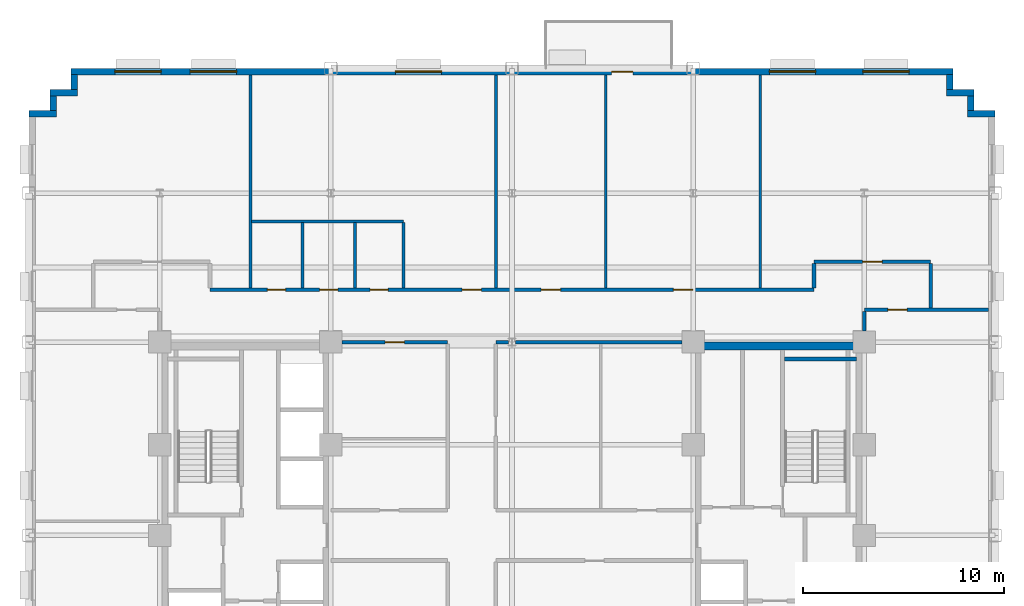
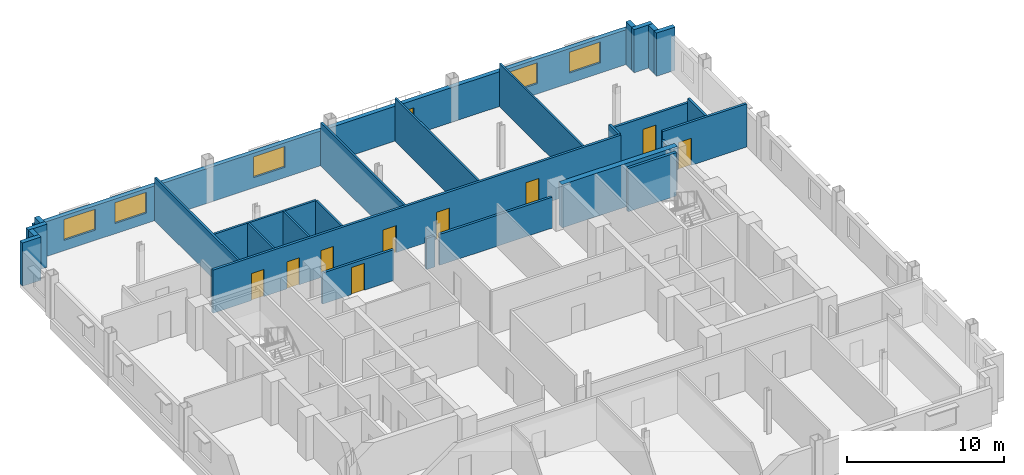
# One storey, part 9 of 14: 28 walls, 10 doors, 5 windows, 15 openings.
"""IFC4 building model written with IfcOpenShell, lengths in metres."""

from ifc_helpers import new_model, si_unit, direction, frame, frame_2d, origin, place, context, subcontext, project, spatial, rectangle, extrude, source, transform, mapped, material, layer, layer_set, type_object, type_shapes, element, fill, save


model = new_model("IFC4")

# Units and contexts
model_context = context("Model", 3, precision=1e-05, world=origin(), true_north=direction((0.0, 1.0)))
body_context = subcontext(model_context, "Body", "Model", "MODEL_VIEW")
ifc_project = project(units=[si_unit("LENGTHUNIT", "METRE"), si_unit("AREAUNIT", "SQUARE_METRE"), si_unit("VOLUMEUNIT", "CUBIC_METRE"), si_unit("PLANEANGLEUNIT", "RADIAN"), si_unit("MASSUNIT", "GRAM", prefix="KILO")], contexts=[model_context])

# Site, building, storey
site_placement = place(None, origin())
site = spatial("IfcSite", under=ifc_project, at=site_placement, CompositionType="ELEMENT")
building_placement = place(site_placement, origin())
building = spatial("IfcBuilding", under=site, at=building_placement, Name="Nuvemarco Arch Tower", CompositionType="ELEMENT")
storey_placement = place(building_placement, frame((0.0, 0.0, 101.949951171875)))
storey = spatial("IfcBuildingStorey", under=building, at=storey_placement, Name="L26", CompositionType="ELEMENT", Elevation=101.949951171875)

# Walls
ifc_material_1 = material(Name="Precast concrete C45/55", Category="concrete")
ifc_layer_1 = layer(ifc_material_1, 0.320068359375, Name="EW-MID-320")
ifc_layer_set_1 = layer_set([ifc_layer_1], Name="Precast concrete C45/55")
wall_type_1 = type_object("IfcWallType", Name="EW-MID-320", PredefinedType="STANDARD", material=ifc_layer_set_1)
wall_1_placement = place(storey_placement, frame((22.6298828125, 20.93994140625, 0.0), z_axis=(0.0, 0.0, 1.0), x_axis=(1.0, 0.0, 0.0)))
element("IfcWall", 1, at=wall_1_placement, inside=storey, type_object=wall_type_1, Name="L26 exterior precast facade wall 7", PredefinedType="STANDARD", context=body_context, shape_type="SweptSolid", body=[
    extrude(rectangle(XDim=1.3701171875, YDim=0.320068359375, at=frame_2d((0.68505859375, 0.0))), origin(), (0.0, 0.0, 1.0), 3.360107421875),
])
wall_2_placement = place(storey_placement, frame((22.7900390625, 21.095947265625, 0.0), z_axis=(0.0, 0.0, 1.0), x_axis=(0.0, 1.0, 0.0)))
element("IfcWall", 2, at=wall_2_placement, inside=storey, type_object=wall_type_1, Name="L26 exterior precast facade wall 8", PredefinedType="STANDARD", context=body_context, shape_type="SweptSolid", body=[
    extrude(rectangle(XDim=0.738037109375, YDim=0.320068359375, at=frame_2d((0.369140625, 0.0))), origin(), (0.0, 0.0, 1.0), 3.360107421875),
])
wall_3_placement = place(storey_placement, frame((21.580078125, 21.989990234375, 0.0), z_axis=(0.0, 0.0, 1.0), x_axis=(1.0, 0.0, 0.0)))
element("IfcWall", 3, at=wall_3_placement, inside=storey, type_object=wall_type_1, Name="L26 exterior precast facade wall 9", PredefinedType="STANDARD", context=body_context, shape_type="SweptSolid", body=[
    extrude(rectangle(XDim=1.369873046875, YDim=0.320068359375, at=frame_2d((0.68505859375, 0.0))), origin(), (0.0, 0.0, 1.0), 3.360107421875),
])
wall_4_placement = place(storey_placement, frame((21.739990234375, 22.14599609375, 0.0), z_axis=(0.0, 0.0, 1.0), x_axis=(0.0, 1.0, 0.0)))
element("IfcWall", 4, at=wall_4_placement, inside=storey, type_object=wall_type_1, Name="L26 exterior precast facade wall 10", PredefinedType="STANDARD", context=body_context, shape_type="SweptSolid", body=[
    extrude(rectangle(XDim=0.738037109375, YDim=0.320068359375, at=frame_2d((0.369140625, 0.0))), origin(), (0.0, 0.0, 1.0), 3.360107421875),
])

# Wall, openings, door, windows
wall_5_placement = place(storey_placement, frame((-21.89990234375, 23.0400390625, 0.0), z_axis=(0.0, 0.0, 1.0), x_axis=(1.0, 0.0, 0.0)))
wall_5 = element("IfcWall", 5, at=wall_5_placement, inside=storey, type_object=wall_type_1, Name="L26 exterior precast facade wall 11", PredefinedType="STANDARD", context=body_context, shape_type="SweptSolid", body=[
    extrude(rectangle(XDim=43.7998046875, YDim=0.320068359375, at=frame_2d((21.89990234375, 0.0))), origin(), (0.0, 0.0, 1.0), 2.705078125),
])
opening_1_placement = place(wall_5_placement, frame((26.85009765625, 0.0, 0.0)))
opening_1 = element("IfcOpeningElement", 6, at=opening_1_placement, cuts=wall_5, Name="Opening ED-5", PredefinedType="OPENING", context=body_context, shape_type="SweptSolid", body=[
    extrude(rectangle(XDim=1.050048828125, YDim=2.10009765625, at=frame_2d((0.52490234375, 1.050048828125))), frame((0.0, 0.169921875, 0.0), z_axis=(0.0, -1.0, 0.0), x_axis=(1.0, 0.0, 0.0)), (0.0, 0.0, 1.0), 0.340087890625),
])
opening_2_placement = place(wall_5_placement, frame((2.172119140625, 0.0, 0.800048828125)))
opening_2 = element("IfcOpeningElement", 7, at=opening_2_placement, cuts=wall_5, Name="Opening WN-10", PredefinedType="OPENING", context=body_context, shape_type="SweptSolid", body=[
    extrude(rectangle(XDim=2.300048828125, YDim=1.6201171875, at=frame_2d((1.14990234375, 0.81005859375))), frame((0.0, 0.169921875, 0.0), z_axis=(0.0, -1.0, 0.0), x_axis=(1.0, 0.0, 0.0)), (0.0, 0.0, 1.0), 0.340087890625),
])
opening_3_placement = place(wall_5_placement, frame((5.916748046875, 0.0, 0.800048828125)))
opening_3 = element("IfcOpeningElement", 8, at=opening_3_placement, cuts=wall_5, Name="Opening WN-10", PredefinedType="OPENING", context=body_context, shape_type="SweptSolid", body=[
    extrude(rectangle(XDim=2.300048828125, YDim=1.6201171875, at=frame_2d((1.14990234375, 0.81005859375))), frame((0.0, 0.169921875, 0.0), z_axis=(0.0, -1.0, 0.0), x_axis=(1.0, 0.0, 0.0)), (0.0, 0.0, 1.0), 0.340087890625),
])
opening_4_placement = place(wall_5_placement, frame((16.105712890625, 0.0, 0.800048828125)))
opening_4 = element("IfcOpeningElement", 9, at=opening_4_placement, cuts=wall_5, Name="Opening WN-10", PredefinedType="OPENING", context=body_context, shape_type="SweptSolid", body=[
    extrude(rectangle(XDim=2.300048828125, YDim=1.6201171875, at=frame_2d((1.14990234375, 0.81005859375))), frame((0.0, 0.169921875, 0.0), z_axis=(0.0, -1.0, 0.0), x_axis=(1.0, 0.0, 0.0)), (0.0, 0.0, 1.0), 0.340087890625),
])
opening_5_placement = place(wall_5_placement, frame((34.683349609375, 0.0, 0.800048828125)))
opening_5 = element("IfcOpeningElement", 10, at=opening_5_placement, cuts=wall_5, Name="Opening WN-10", PredefinedType="OPENING", context=body_context, shape_type="SweptSolid", body=[
    extrude(rectangle(XDim=2.300048828125, YDim=1.6201171875, at=frame_2d((1.14990234375, 0.81005859375))), frame((0.0, 0.169921875, 0.0), z_axis=(0.0, -1.0, 0.0), x_axis=(1.0, 0.0, 0.0)), (0.0, 0.0, 1.0), 0.340087890625),
])
opening_6_placement = place(wall_5_placement, frame((39.327880859375, 0.0, 0.800048828125)))
opening_6 = element("IfcOpeningElement", 11, at=opening_6_placement, cuts=wall_5, Name="Opening WN-10", PredefinedType="OPENING", context=body_context, shape_type="SweptSolid", body=[
    extrude(rectangle(XDim=2.300048828125, YDim=1.6201171875, at=frame_2d((1.14990234375, 0.81005859375))), frame((0.0, 0.169921875, 0.0), z_axis=(0.0, -1.0, 0.0), x_axis=(1.0, 0.0, 0.0)), (0.0, 0.0, 1.0), 0.340087890625),
])
ifc_material_2 = material(Name="Anodised bronze and laminated glass", Category="glass")
door_type_1 = type_object("IfcDoorType", Name="DR-EXT-TERR", OperationType="NOTDEFINED", PredefinedType="DOOR", material=ifc_material_2)
shared_shape_1 = source(origin(), body_context, "Body", "SweptSolid", [
    extrude(rectangle(XDim=1.050048828125, YDim=2.10009765625, at=frame_2d((0.52490234375, 1.050048828125))), frame((0.0, 0.02490234375, 0.0), z_axis=(0.0, -1.0, 0.0), x_axis=(1.0, 0.0, 0.0)), (0.0, 0.0, 1.0), 0.050048828125),
])
type_shapes(door_type_1, [shared_shape_1])
door_1_placement = place(opening_1_placement, origin())
door_1 = element("IfcDoor", 12, at=door_1_placement, inside=storey, type_object=door_type_1, Name="L26 spiral terrace access door", OperationType="SINGLE_SWING_LEFT", OverallHeight=2.10009765625, OverallWidth=1.050048828125, PredefinedType="DOOR", context=body_context, shape_type="MappedRepresentation", body=[
    mapped(shared_shape_1, transform((0.0, 0.0, 0.0), scale=1.0)),
])
fill(opening_1, door_1)
ifc_material_3 = material(Name="Insulated solar-control glass", Category="glass")
window_type = type_object("IfcWindowType", Name="WN-STEP-2300x1700", PartitioningType="DOUBLE_PANEL_VERTICAL", PredefinedType="WINDOW", material=ifc_material_3)
shared_shape_2 = source(origin(), body_context, "Body", "SweptSolid", [
    extrude(rectangle(XDim=2.300048828125, YDim=1.6201171875, at=frame_2d((1.14990234375, 0.81005859375))), frame((0.0, 0.030029296875, 0.0), z_axis=(0.0, -1.0, 0.0), x_axis=(1.0, 0.0, 0.0)), (0.0, 0.0, 1.0), 0.06005859375),
])
type_shapes(window_type, [shared_shape_2])
window_1_placement = place(opening_2_placement, origin())
window_1 = element("IfcWindow", 13, at=window_1_placement, inside=storey, type_object=window_type, Name="L26 punched facade window 1", OverallHeight=1.6201171875, OverallWidth=2.300048828125, PartitioningType="SINGLE_PANEL", PredefinedType="WINDOW", context=body_context, shape_type="MappedRepresentation", body=[
    mapped(shared_shape_2, transform((0.0, 0.0, 0.0), scale=1.0)),
])
fill(opening_2, window_1)
window_2_placement = place(opening_3_placement, origin())
window_2 = element("IfcWindow", 14, at=window_2_placement, inside=storey, type_object=window_type, Name="L26 punched facade window 2", OverallHeight=1.6201171875, OverallWidth=2.300048828125, PartitioningType="SINGLE_PANEL", PredefinedType="WINDOW", context=body_context, shape_type="MappedRepresentation", body=[
    mapped(shared_shape_2, transform((0.0, 0.0, 0.0), scale=1.0)),
])
fill(opening_3, window_2)
window_3_placement = place(opening_4_placement, origin())
window_3 = element("IfcWindow", 15, at=window_3_placement, inside=storey, type_object=window_type, Name="L26 punched facade window 4", OverallHeight=1.6201171875, OverallWidth=2.300048828125, PartitioningType="SINGLE_PANEL", PredefinedType="WINDOW", context=body_context, shape_type="MappedRepresentation", body=[
    mapped(shared_shape_2, transform((0.0, 0.0, 0.0), scale=1.0)),
])
fill(opening_4, window_3)
window_4_placement = place(opening_5_placement, origin())
window_4 = element("IfcWindow", 16, at=window_4_placement, inside=storey, type_object=window_type, Name="L26 punched facade window 8", OverallHeight=1.6201171875, OverallWidth=2.300048828125, PartitioningType="SINGLE_PANEL", PredefinedType="WINDOW", context=body_context, shape_type="MappedRepresentation", body=[
    mapped(shared_shape_2, transform((0.0, 0.0, 0.0), scale=1.0)),
])
fill(opening_5, window_4)
window_5_placement = place(opening_6_placement, origin())
window_5 = element("IfcWindow", 17, at=window_5_placement, inside=storey, type_object=window_type, Name="L26 punched facade window 9", OverallHeight=1.6201171875, OverallWidth=2.300048828125, PartitioningType="SINGLE_PANEL", PredefinedType="WINDOW", context=body_context, shape_type="MappedRepresentation", body=[
    mapped(shared_shape_2, transform((0.0, 0.0, 0.0), scale=1.0)),
])
fill(opening_6, window_5)

# Walls
wall_6_placement = place(storey_placement, frame((-21.739990234375, 22.14599609375, 0.0), z_axis=(0.0, 0.0, 1.0), x_axis=(0.0, 1.0, 0.0)))
element("IfcWall", 18, at=wall_6_placement, inside=storey, type_object=wall_type_1, Name="L26 exterior precast facade wall 12", PredefinedType="STANDARD", context=body_context, shape_type="SweptSolid", body=[
    extrude(rectangle(XDim=0.738037109375, YDim=0.320068359375, at=frame_2d((0.369140625, 0.0))), origin(), (0.0, 0.0, 1.0), 3.360107421875),
])
wall_7_placement = place(storey_placement, frame((-22.949951171875, 21.989990234375, 0.0), z_axis=(0.0, 0.0, 1.0), x_axis=(1.0, 0.0, 0.0)))
element("IfcWall", 19, at=wall_7_placement, inside=storey, type_object=wall_type_1, Name="L26 exterior precast facade wall 13", PredefinedType="STANDARD", context=body_context, shape_type="SweptSolid", body=[
    extrude(rectangle(XDim=1.369873046875, YDim=0.320068359375, at=frame_2d((0.68505859375, 0.0))), origin(), (0.0, 0.0, 1.0), 3.360107421875),
])
wall_8_placement = place(storey_placement, frame((-22.7900390625, 21.095947265625, 0.0), z_axis=(0.0, 0.0, 1.0), x_axis=(0.0, 1.0, 0.0)))
element("IfcWall", 20, at=wall_8_placement, inside=storey, type_object=wall_type_1, Name="L26 exterior precast facade wall 14", PredefinedType="STANDARD", context=body_context, shape_type="SweptSolid", body=[
    extrude(rectangle(XDim=0.738037109375, YDim=0.320068359375, at=frame_2d((0.369140625, 0.0))), origin(), (0.0, 0.0, 1.0), 3.360107421875),
])
wall_9_placement = place(storey_placement, frame((-24.0, 20.93994140625, 0.0), z_axis=(0.0, 0.0, 1.0), x_axis=(1.0, 0.0, 0.0)))
element("IfcWall", 21, at=wall_9_placement, inside=storey, type_object=wall_type_1, Name="L26 exterior precast facade wall 15", PredefinedType="STANDARD", context=body_context, shape_type="SweptSolid", body=[
    extrude(rectangle(XDim=1.3701171875, YDim=0.320068359375, at=frame_2d((0.68505859375, 0.0))), origin(), (0.0, 0.0, 1.0), 3.360107421875),
])
ifc_material_4 = material(Name="Concrete C60/75", Category="concrete")
ifc_layer_2 = layer(ifc_material_4, 0.39990234375, Name="WL-CORE-400")
ifc_layer_set_2 = layer_set([ifc_layer_2], Name="Concrete C60/75")
wall_type_2 = type_object("IfcWallType", Name="WL-CORE-400", PredefinedType="SHEAR", material=ifc_layer_set_2)
wall_10_placement = place(storey_placement, frame((9.0, 9.39990234375, 0.0), z_axis=(0.0, 0.0, 1.0), x_axis=(1.0, 0.0, 0.0)))
element("IfcWall", 22, at=wall_10_placement, inside=storey, type_object=wall_type_2, Name="L26 E-core shear wall N", PredefinedType="SHEAR", context=body_context, shape_type="SweptSolid", body=[
    extrude(rectangle(XDim=8.5, YDim=0.39990234375, at=frame_2d((4.25, 0.0))), origin(), (0.0, 0.0, 1.0), 3.3701171875),
])

# Wall, opening, door
ifc_material_5 = material(Name="Fire-rated gypsum drywall partition")
ifc_layer_3 = layer(ifc_material_5, 0.179931640625, Name="WL-CORR-180")
ifc_layer_set_3 = layer_set([ifc_layer_3], Name="Fire-rated gypsum drywall partition")
wall_type_3 = type_object("IfcWallType", Name="WL-CORR-180", PredefinedType="PARTITIONING", material=ifc_layer_set_3)
wall_11_placement = place(storey_placement, frame((-8.4541015625, 9.60009765625, 0.0), z_axis=(0.0, 0.0, 1.0), x_axis=(1.0, 0.0, 0.0)))
wall_11 = element("IfcWall", 23, at=wall_11_placement, inside=storey, type_object=wall_type_3, Name="L26 interior wall IW-L26-015", PredefinedType="PARTITIONING", context=body_context, shape_type="SweptSolid", body=[
    extrude(rectangle(XDim=5.254150390625, YDim=0.179931640625, at=frame_2d((2.626953125, 0.0))), origin(), (0.0, 0.0, 1.0), 2.405029296875),
])
opening_7_placement = place(wall_11_placement, frame((2.14697265625, 0.0, 0.0)))
opening_7 = element("IfcOpeningElement", 24, at=opening_7_placement, cuts=wall_11, Name="Opening FD-5", PredefinedType="OPENING", context=body_context, shape_type="SweptSolid", body=[
    extrude(rectangle(XDim=0.9599609375, YDim=2.10009765625, at=frame_2d((0.47998046875, 1.050048828125))), frame((0.0, 0.099853515625, 0.0), z_axis=(0.0, -1.0, 0.0), x_axis=(1.0, 0.0, 0.0)), (0.0, 0.0, 1.0), 0.199951171875),
])
ifc_material_6 = material(Name="Timber fire door", Category="wood")
door_type_2 = type_object("IfcDoorType", Name="DR-CORR-FD", OperationType="NOTDEFINED", PredefinedType="DOOR", material=ifc_material_6)
shared_shape_3 = source(origin(), body_context, "Body", "SweptSolid", [
    extrude(rectangle(XDim=0.9599609375, YDim=2.10009765625, at=frame_2d((0.47998046875, 1.050048828125))), frame((0.0, 0.02490234375, 0.0), z_axis=(0.0, -1.0, 0.0), x_axis=(1.0, 0.0, 0.0)), (0.0, 0.0, 1.0), 0.050048828125),
])
type_shapes(door_type_2, [shared_shape_3])
door_2_placement = place(opening_7_placement, origin())
door_2 = element("IfcDoor", 25, at=door_2_placement, inside=storey, type_object=door_type_2, Name="L26 door DR-L26-C_NW2", OperationType="SINGLE_SWING_RIGHT", OverallHeight=2.10009765625, OverallWidth=0.9599609375, PredefinedType="DOOR", context=body_context, shape_type="MappedRepresentation", body=[
    mapped(shared_shape_3, transform((0.0, 0.0, 0.0), scale=1.0)),
])
fill(opening_7, door_2)

# Walls
wall_12_placement = place(storey_placement, frame((-0.800048828125, 9.60009765625, 0.0), z_axis=(0.0, 0.0, 1.0), x_axis=(1.0, 0.0, 0.0)))
element("IfcWall", 26, at=wall_12_placement, inside=storey, type_object=wall_type_3, Name="L26 interior wall IW-L26-016", PredefinedType="PARTITIONING", context=body_context, shape_type="SweptSolid", body=[
    extrude(rectangle(XDim=0.6240234375, YDim=0.179931640625, at=frame_2d((0.31201171875, 0.0))), origin(), (0.0, 0.0, 1.0), 2.405029296875),
])
wall_13_placement = place(storey_placement, frame((0.176025390625, 9.60009765625, 0.0), z_axis=(0.0, 0.0, 1.0), x_axis=(1.0, 0.0, 0.0)))
element("IfcWall", 27, at=wall_13_placement, inside=storey, type_object=wall_type_3, Name="L26 interior wall IW-L26-017", PredefinedType="PARTITIONING", context=body_context, shape_type="SweptSolid", body=[
    extrude(rectangle(XDim=8.278076171875, YDim=0.179931640625, at=frame_2d((4.13916015625, 0.0))), origin(), (0.0, 0.0, 1.0), 2.405029296875),
])

# Wall, opening, door
wall_14_placement = place(storey_placement, frame((17.5, 11.199951171875, 0.0), z_axis=(0.0, 0.0, 1.0), x_axis=(1.0, 0.0, 0.0)))
wall_14 = element("IfcWall", 28, at=wall_14_placement, inside=storey, type_object=wall_type_3, Name="L26 interior wall IW-L26-019", PredefinedType="PARTITIONING", context=body_context, shape_type="SweptSolid", body=[
    extrude(rectangle(XDim=6.179931640625, YDim=0.179931640625, at=frame_2d((3.08984375, 0.0))), origin(), (0.0, 0.0, 1.0), 3.360107421875),
])
opening_8_placement = place(wall_14_placement, frame((1.169921875, 0.0, 0.0)))
opening_8 = element("IfcOpeningElement", 29, at=opening_8_placement, cuts=wall_14, Name="Opening FD-5", PredefinedType="OPENING", context=body_context, shape_type="SweptSolid", body=[
    extrude(rectangle(XDim=0.9599609375, YDim=2.10009765625, at=frame_2d((0.47998046875, 1.050048828125))), frame((0.0, 0.099853515625, 0.0), z_axis=(0.0, -1.0, 0.0), x_axis=(1.0, 0.0, 0.0)), (0.0, 0.0, 1.0), 0.199951171875),
])
door_3_placement = place(opening_8_placement, origin())
door_3 = element("IfcDoor", 30, at=door_3_placement, inside=storey, type_object=door_type_2, Name="L26 door DR-L26-E_1", OperationType="SINGLE_SWING_LEFT", OverallHeight=2.10009765625, OverallWidth=0.9599609375, PredefinedType="DOOR", context=body_context, shape_type="MappedRepresentation", body=[
    mapped(shared_shape_3, transform((0.0, 0.0, 0.0), scale=1.0)),
])
fill(opening_8, door_3)

# Wall, openings, doors
wall_15_placement = place(storey_placement, frame((-15.0, 12.199951171875, 0.0), z_axis=(0.0, 0.0, 1.0), x_axis=(1.0, 0.0, 0.0)))
wall_15 = element("IfcWall", 31, at=wall_15_placement, inside=storey, type_object=wall_type_3, Name="L26 interior wall IW-L26-020", PredefinedType="PARTITIONING", context=body_context, shape_type="SweptSolid", body=[
    extrude(rectangle(XDim=30.0, YDim=0.179931640625, at=frame_2d((15.0, 0.0))), origin(), (0.0, 0.0, 1.0), 3.360107421875),
])
opening_9_placement = place(wall_15_placement, frame((23.02001953125, 0.0, 0.0)))
opening_9 = element("IfcOpeningElement", 32, at=opening_9_placement, cuts=wall_15, Name="Opening FD-5", PredefinedType="OPENING", context=body_context, shape_type="SweptSolid", body=[
    extrude(rectangle(XDim=0.9599609375, YDim=2.10009765625, at=frame_2d((0.47998046875, 1.050048828125))), frame((0.0, 0.099853515625, 0.0), z_axis=(0.0, -1.0, 0.0), x_axis=(1.0, 0.0, 0.0)), (0.0, 0.0, 1.0), 0.199951171875),
])
opening_10_placement = place(wall_15_placement, frame((16.449951171875, 0.0, 0.0)))
opening_10 = element("IfcOpeningElement", 33, at=opening_10_placement, cuts=wall_15, Name="Opening FD-5", PredefinedType="OPENING", context=body_context, shape_type="SweptSolid", body=[
    extrude(rectangle(XDim=0.9599609375, YDim=2.10009765625, at=frame_2d((0.47998046875, 1.050048828125))), frame((0.0, 0.099853515625, 0.0), z_axis=(0.0, -1.0, 0.0), x_axis=(1.0, 0.0, 0.0)), (0.0, 0.0, 1.0), 0.199951171875),
])
opening_11_placement = place(wall_15_placement, frame((5.449951171875, 0.0, 0.0)))
opening_11 = element("IfcOpeningElement", 34, at=opening_11_placement, cuts=wall_15, Name="Opening ID-3", PredefinedType="OPENING", context=body_context, shape_type="SweptSolid", body=[
    extrude(rectangle(XDim=0.89990234375, YDim=2.10009765625, at=frame_2d((0.449951171875, 1.050048828125))), frame((0.0, 0.099853515625, 0.0), z_axis=(0.0, -1.0, 0.0), x_axis=(1.0, 0.0, 0.0)), (0.0, 0.0, 1.0), 0.199951171875),
])
opening_12_placement = place(wall_15_placement, frame((2.85009765625, 0.0, 0.0)))
opening_12 = element("IfcOpeningElement", 35, at=opening_12_placement, cuts=wall_15, Name="Opening ID-3", PredefinedType="OPENING", context=body_context, shape_type="SweptSolid", body=[
    extrude(rectangle(XDim=0.89990234375, YDim=2.10009765625, at=frame_2d((0.449951171875, 1.050048828125))), frame((0.0, 0.099853515625, 0.0), z_axis=(0.0, -1.0, 0.0), x_axis=(1.0, 0.0, 0.0)), (0.0, 0.0, 1.0), 0.199951171875),
])
opening_13_placement = place(wall_15_placement, frame((12.52001953125, 0.0, 0.0)))
opening_13 = element("IfcOpeningElement", 36, at=opening_13_placement, cuts=wall_15, Name="Opening FD-5", PredefinedType="OPENING", context=body_context, shape_type="SweptSolid", body=[
    extrude(rectangle(XDim=0.9599609375, YDim=2.10009765625, at=frame_2d((0.47998046875, 1.050048828125))), frame((0.0, 0.099853515625, 0.0), z_axis=(0.0, -1.0, 0.0), x_axis=(1.0, 0.0, 0.0)), (0.0, 0.0, 1.0), 0.199951171875),
])
opening_14_placement = place(wall_15_placement, frame((7.949951171875, 0.0, 0.0)))
opening_14 = element("IfcOpeningElement", 37, at=opening_14_placement, cuts=wall_15, Name="Opening ID-3", PredefinedType="OPENING", context=body_context, shape_type="SweptSolid", body=[
    extrude(rectangle(XDim=0.89990234375, YDim=2.10009765625, at=frame_2d((0.449951171875, 1.050048828125))), frame((0.0, 0.099853515625, 0.0), z_axis=(0.0, -1.0, 0.0), x_axis=(1.0, 0.0, 0.0)), (0.0, 0.0, 1.0), 0.199951171875),
])
door_4_placement = place(opening_9_placement, origin())
door_4 = element("IfcDoor", 38, at=door_4_placement, inside=storey, type_object=door_type_2, Name="L26 door DR-L26-N_4", OperationType="SINGLE_SWING_LEFT", OverallHeight=2.10009765625, OverallWidth=0.9599609375, PredefinedType="DOOR", context=body_context, shape_type="MappedRepresentation", body=[
    mapped(shared_shape_3, transform((0.0, 0.0, 0.0), scale=1.0)),
])
fill(opening_9, door_4)
door_5_placement = place(opening_10_placement, origin())
door_5 = element("IfcDoor", 39, at=door_5_placement, inside=storey, type_object=door_type_2, Name="L26 door DR-L26-N_3", OperationType="SINGLE_SWING_LEFT", OverallHeight=2.10009765625, OverallWidth=0.9599609375, PredefinedType="DOOR", context=body_context, shape_type="MappedRepresentation", body=[
    mapped(shared_shape_3, transform((0.0, 0.0, 0.0), scale=1.0)),
])
fill(opening_10, door_5)
door_6_placement = place(opening_13_placement, origin())
door_6 = element("IfcDoor", 40, at=door_6_placement, inside=storey, type_object=door_type_2, Name="L26 door DR-L26-N_2", OperationType="SINGLE_SWING_RIGHT", OverallHeight=2.10009765625, OverallWidth=0.9599609375, PredefinedType="DOOR", context=body_context, shape_type="MappedRepresentation", body=[
    mapped(shared_shape_3, transform((0.0, 0.0, 0.0), scale=1.0)),
])
fill(opening_13, door_6)
ifc_material_7 = material(Name="Veneered oak timber fire door", Category="wood")
door_type_3 = type_object("IfcDoorType", Name="DR-WC-ACC", OperationType="NOTDEFINED", PredefinedType="DOOR", material=ifc_material_7)
shared_shape_4 = source(origin(), body_context, "Body", "SweptSolid", [
    extrude(rectangle(XDim=0.89990234375, YDim=2.10009765625, at=frame_2d((0.449951171875, 1.050048828125))), frame((0.0, 0.02490234375, 0.0), z_axis=(0.0, -1.0, 0.0), x_axis=(1.0, 0.0, 0.0)), (0.0, 0.0, 1.0), 0.050048828125),
])
type_shapes(door_type_3, [shared_shape_4])
door_7_placement = place(opening_11_placement, origin())
door_7 = element("IfcDoor", 41, at=door_7_placement, inside=storey, type_object=door_type_3, Name="L26 door DR-L26-WC_F", OperationType="SINGLE_SWING_RIGHT", OverallHeight=2.10009765625, OverallWidth=0.89990234375, PredefinedType="DOOR", context=body_context, shape_type="MappedRepresentation", body=[
    mapped(shared_shape_4, transform((0.0, 0.0, 0.0), scale=1.0)),
])
fill(opening_11, door_7)
door_8_placement = place(opening_12_placement, origin())
door_8 = element("IfcDoor", 42, at=door_8_placement, inside=storey, type_object=door_type_3, Name="L26 door DR-L26-WC_M", OperationType="SINGLE_SWING_LEFT", OverallHeight=2.10009765625, OverallWidth=0.89990234375, PredefinedType="DOOR", context=body_context, shape_type="MappedRepresentation", body=[
    mapped(shared_shape_4, transform((0.0, 0.0, 0.0), scale=1.0)),
])
fill(opening_12, door_8)
door_9_placement = place(opening_14_placement, origin())
door_9 = element("IfcDoor", 43, at=door_9_placement, inside=storey, type_object=door_type_3, Name="L26 door DR-L26-WC_ACC", OperationType="SINGLE_SWING_LEFT", OverallHeight=2.10009765625, OverallWidth=0.89990234375, PredefinedType="DOOR", context=body_context, shape_type="MappedRepresentation", body=[
    mapped(shared_shape_4, transform((0.0, 0.0, 0.0), scale=1.0)),
])
fill(opening_14, door_9)

# Wall, opening, door
wall_16_placement = place(storey_placement, frame((15.0, 13.60009765625, 0.0), z_axis=(0.0, 0.0, 1.0), x_axis=(1.0, 0.0, 0.0)))
wall_16 = element("IfcWall", 44, at=wall_16_placement, inside=storey, type_object=wall_type_3, Name="L26 interior wall IW-L26-022", PredefinedType="PARTITIONING", context=body_context, shape_type="SweptSolid", body=[
    extrude(rectangle(XDim=5.800048828125, YDim=0.179931640625, at=frame_2d((2.89990234375, 0.0))), origin(), (0.0, 0.0, 1.0), 2.998046875),
])
opening_15_placement = place(wall_16_placement, frame((2.419921875, 0.0, 0.0)))
opening_15 = element("IfcOpeningElement", 45, at=opening_15_placement, cuts=wall_16, Name="Opening FD-5", PredefinedType="OPENING", context=body_context, shape_type="SweptSolid", body=[
    extrude(rectangle(XDim=0.9599609375, YDim=2.10009765625, at=frame_2d((0.47998046875, 1.050048828125))), frame((0.0, 0.099853515625, 0.0), z_axis=(0.0, -1.0, 0.0), x_axis=(1.0, 0.0, 0.0)), (0.0, 0.0, 1.0), 0.199951171875),
])
door_10_placement = place(opening_15_placement, origin())
door_10 = element("IfcDoor", 46, at=door_10_placement, inside=storey, type_object=door_type_2, Name="L26 door DR-L26-N_5", OperationType="SINGLE_SWING_LEFT", OverallHeight=2.10009765625, OverallWidth=0.9599609375, PredefinedType="DOOR", context=body_context, shape_type="MappedRepresentation", body=[
    mapped(shared_shape_3, transform((0.0, 0.0, 0.0), scale=1.0)),
])
fill(opening_15, door_10)

# Walls
wall_17_placement = place(storey_placement, frame((15.0, 12.285888671875, 0.0), z_axis=(0.0, 0.0, 1.0), x_axis=(0.0, 1.0, 0.0)))
element("IfcWall", 47, at=wall_17_placement, inside=storey, type_object=wall_type_3, Name="L26 interior wall IW-L26-049", PredefinedType="PARTITIONING", context=body_context, shape_type="SweptSolid", body=[
    extrude(rectangle(XDim=1.22802734375, YDim=0.179931640625, at=frame_2d((0.614013671875, 0.0))), origin(), (0.0, 0.0, 1.0), 3.360107421875),
])
wall_18_placement = place(storey_placement, frame((17.5, 10.14599609375, 0.0), z_axis=(0.0, 0.0, 1.0), x_axis=(0.0, 1.0, 0.0)))
element("IfcWall", 48, at=wall_18_placement, inside=storey, type_object=wall_type_3, Name="L26 interior wall IW-L26-051", PredefinedType="PARTITIONING", context=body_context, shape_type="SweptSolid", body=[
    extrude(rectangle(XDim=0.968017578125, YDim=0.179931640625, at=frame_2d((0.48388671875, 0.0))), origin(), (0.0, 0.0, 1.0), 2.738037109375),
])
wall_19_placement = place(storey_placement, frame((20.800048828125, 11.285888671875, 0.0), z_axis=(0.0, 0.0, 1.0), x_axis=(0.0, 1.0, 0.0)))
element("IfcWall", 49, at=wall_19_placement, inside=storey, type_object=wall_type_3, Name="L26 interior wall IW-L26-054", PredefinedType="PARTITIONING", context=body_context, shape_type="SweptSolid", body=[
    extrude(rectangle(XDim=2.22802734375, YDim=0.179931640625, at=frame_2d((1.114013671875, 0.0))), origin(), (0.0, 0.0, 1.0), 3.360107421875),
])
ifc_material_8 = material(Name="Glazed acoustic office partition")
ifc_layer_4 = layer(ifc_material_8, 0.1298828125, Name="WL-EXEC-130")
ifc_layer_set_4 = layer_set([ifc_layer_4], Name="Glazed acoustic office partition")
wall_type_4 = type_object("IfcWallType", Name="WL-EXEC-130", PredefinedType="PARTITIONING", material=ifc_layer_set_4)
wall_20_placement = place(storey_placement, frame((12.340087890625, 12.285888671875, 0.0), z_axis=(0.0, 0.0, 1.0), x_axis=(0.0, 1.0, 0.0)))
element("IfcWall", 50, at=wall_20_placement, inside=storey, type_object=wall_type_4, Name="L26 interior wall IW-L26-047", PredefinedType="PARTITIONING", context=body_context, shape_type="SweptSolid", body=[
    extrude(rectangle(XDim=10.593994140625, YDim=0.1298828125, at=frame_2d((5.296875, 0.0))), origin(), (0.0, 0.0, 1.0), 3.360107421875),
])
ifc_material_9 = material(Name="Gypsum plasterboard partition")
ifc_layer_5 = layer(ifc_material_9, 0.139892578125, Name="WL-ROOM-140")
ifc_layer_set_5 = layer_set([ifc_layer_5], Name="Gypsum plasterboard partition")
wall_type_5 = type_object("IfcWallType", Name="WL-ROOM-140", PredefinedType="PARTITIONING", material=ifc_layer_set_5)
for number, where, z_axis, x_axis, name in (
    (51, (-0.800048828125, 12.285888671875, 0.0), (0.0, 0.0, 1.0), (0.0, 1.0, 0.0), "L26 interior wall IW-L26-042"),
    (52, (4.659912109375, 12.285888671875, 0.0), (0.0, 0.0, 1.0), (0.0, 1.0, 0.0), "L26 interior wall IW-L26-044"),
):
    element("IfcWall", number, at=place(storey_placement, frame(where, z_axis=z_axis, x_axis=x_axis)), inside=storey, type_object=wall_type_5, Name=name, PredefinedType="PARTITIONING", context=body_context, shape_type="SweptSolid", body=[
        extrude(rectangle(XDim=10.593994140625, YDim=0.139892578125, at=frame_2d((5.296875, 0.0))), origin(), (0.0, 0.0, 1.0), 3.360107421875),
    ])
ifc_material_10 = material(Name="Concrete C50/60", Category="concrete")
ifc_layer_6 = layer(ifc_material_10, 0.199951171875, Name="WL-SHAFT-220")
ifc_layer_set_6 = layer_set([ifc_layer_6], Name="Concrete C50/60")
wall_type_6 = type_object("IfcWallType", Name="WL-SHAFT-220", PredefinedType="SHEAR", material=ifc_layer_set_6)
wall_21_placement = place(storey_placement, frame((13.534912109375, 8.75, 0.0), z_axis=(0.0, 0.0, 1.0), x_axis=(1.0, 0.0, 0.0)))
element("IfcWall", 53, at=wall_21_placement, inside=storey, type_object=wall_type_6, Name="L26 structural shaft wall SW-L26-E-ST2N", PredefinedType="SHEAR", context=body_context, shape_type="SweptSolid", body=[
    extrude(rectangle(XDim=3.570068359375, YDim=0.199951171875, at=frame_2d((1.78515625, 0.0))), origin(), (0.0, 0.0, 1.0), 3.3701171875),
])
ifc_material_11 = material(Name="Moisture-resistant gypsum partition")
ifc_layer_7 = layer(ifc_material_11, 0.14990234375, Name="WL-WET-150")
ifc_layer_set_7 = layer_set([ifc_layer_7], Name="Moisture-resistant gypsum partition")
wall_type_7 = type_object("IfcWallType", Name="WL-WET-150", PredefinedType="PARTITIONING", material=ifc_layer_set_7)
wall_22_placement = place(storey_placement, frame((-12.928955078125, 15.60009765625, 0.0), z_axis=(0.0, 0.0, 1.0), x_axis=(1.0, 0.0, 0.0)))
element("IfcWall", 54, at=wall_22_placement, inside=storey, type_object=wall_type_7, Name="L26 interior wall IW-L26-023", PredefinedType="PARTITIONING", context=body_context, shape_type="SweptSolid", body=[
    extrude(rectangle(XDim=7.529052734375, YDim=0.14990234375, at=frame_2d((3.7646484375, 0.0))), origin(), (0.0, 0.0, 1.0), 3.360107421875),
])
wall_23_placement = place(storey_placement, frame((-13.0, 12.285888671875, 0.0), z_axis=(0.0, 0.0, 1.0), x_axis=(0.0, 1.0, 0.0)))
element("IfcWall", 55, at=wall_23_placement, inside=storey, type_object=wall_type_7, Name="L26 interior wall IW-L26-032", PredefinedType="PARTITIONING", context=body_context, shape_type="SweptSolid", body=[
    extrude(rectangle(XDim=10.593994140625, YDim=0.14990234375, at=frame_2d((5.296875, 0.0))), origin(), (0.0, 0.0, 1.0), 3.360107421875),
])
for number, where, z_axis, x_axis, name in (
    (56, (-10.39990234375, 12.285888671875, 0.0), (0.0, 0.0, 1.0), (0.0, 1.0, 0.0), "L26 interior wall IW-L26-033"),
    (57, (-7.800048828125, 12.285888671875, 0.0), (0.0, 0.0, 1.0), (0.0, 1.0, 0.0), "L26 interior wall IW-L26-034"),
    (58, (-5.39990234375, 12.285888671875, 0.0), (0.0, 0.0, 1.0), (0.0, 1.0, 0.0), "L26 interior wall IW-L26-036"),
):
    element("IfcWall", number, at=place(storey_placement, frame(where, z_axis=z_axis, x_axis=x_axis)), inside=storey, type_object=wall_type_7, Name=name, PredefinedType="PARTITIONING", context=body_context, shape_type="SweptSolid", body=[
        extrude(rectangle(XDim=3.2431640625, YDim=0.14990234375, at=frame_2d((1.62158203125, 0.0))), origin(), (0.0, 0.0, 1.0), 3.360107421875),
    ])

save(model, "model.ifc")
